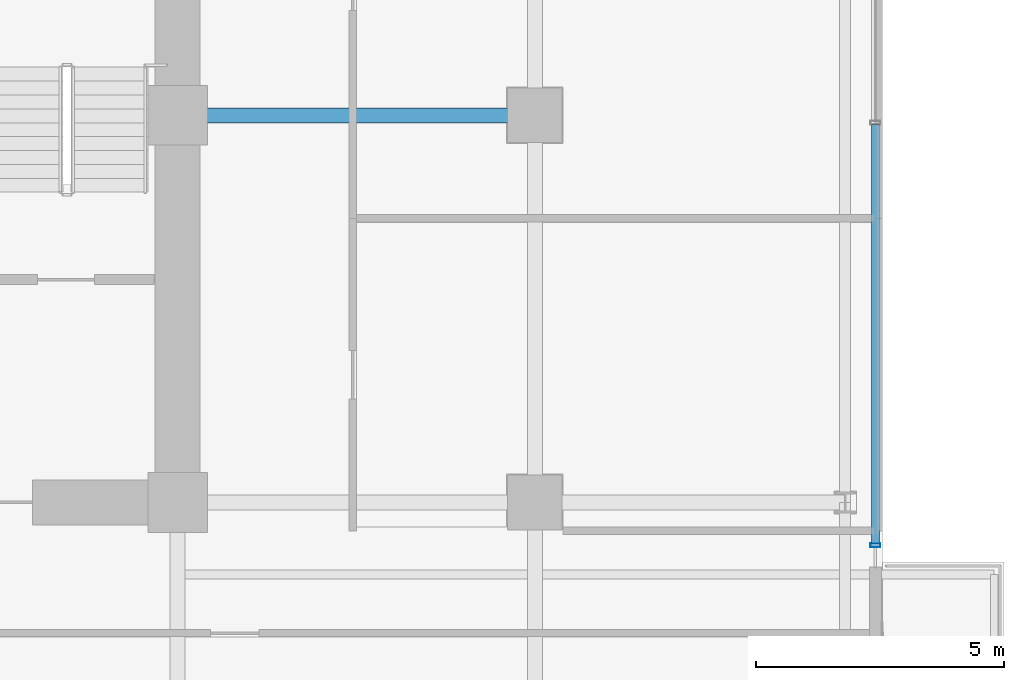
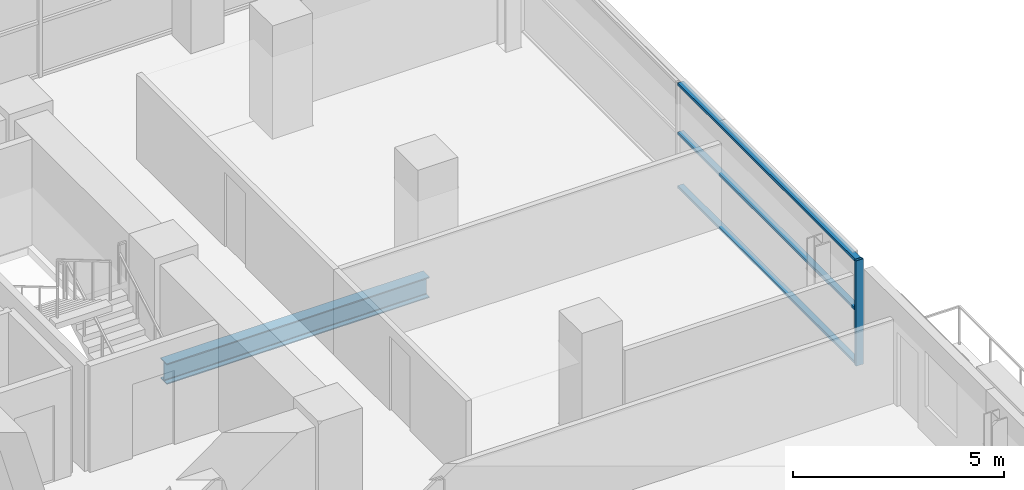
# One storey, part 14 of 30: 4 members, 1 beam, 1 element without a shape of its own.
"""IFC4 building model written with IfcOpenShell, lengths in metres."""

from ifc_helpers import new_model, si_unit, direction, frame, origin, origin_2d, place, context, subcontext, project, spatial, hollow_rectangle, i_section, extrude, source, transform, mapped, material, layer, layer_set, material_profile, profile_set, type_object, element, aggregate, save


model = new_model("IFC4")

# Units and contexts
model_context = context("Model", 3, precision=1e-05, world=origin(), true_north=direction((0.0, 1.0)))
body_context = subcontext(model_context, "Body", "Model", "MODEL_VIEW")
ifc_project = project(units=[si_unit("LENGTHUNIT", "METRE"), si_unit("AREAUNIT", "SQUARE_METRE"), si_unit("VOLUMEUNIT", "CUBIC_METRE"), si_unit("PLANEANGLEUNIT", "RADIAN"), si_unit("MASSUNIT", "GRAM", prefix="KILO")], contexts=[model_context])

# Site, building, storey
site_placement = place(None, origin())
site = spatial("IfcSite", under=ifc_project, at=site_placement, CompositionType="ELEMENT")
building_placement = place(site_placement, origin())
building = spatial("IfcBuilding", under=site, at=building_placement, Name="Zarnakvel Exchange Tower", CompositionType="ELEMENT")
storey_placement = place(building_placement, frame((0.0, 0.0, 30.699951171875)))
storey = spatial("IfcBuildingStorey", under=building, at=storey_placement, Name="L07", CompositionType="ELEMENT", Elevation=30.699951171875)

# Beam
ifc_material_1 = material(Name="Steel S355", Category="steel")
ifc_material_profile_1 = material_profile(ifc_material_1, i_section(OverallWidth=0.300048828125, OverallDepth=0.60009765625, WebThickness=0.015380859375, FlangeThickness=0.030029296875, FilletRadius=0.027099609375, at=origin_2d()))
ifc_profile_set_1 = profile_set([ifc_material_profile_1], Name="Steel S355")
beam_type = type_object("IfcBeamType", Name="G-04", PredefinedType="BEAM", material=ifc_profile_set_1)
beam_placement = place(storey_placement, frame((14.39990234375, 6.60009765625, -0.52490234375), z_axis=(1.0, 0.0, 0.0), x_axis=(0.0, 1.0, 0.0)))
element("IfcBeam", 1, at=beam_placement, inside=storey, type_object=beam_type, Name="L07 Tower E-W Frame Beam", PredefinedType="BEAM", context=body_context, shape_type="SweptSolid", body=[
    extrude(i_section(OverallWidth=0.300048828125, OverallDepth=0.60009765625, WebThickness=0.015380859375, FlangeThickness=0.030029296875, FilletRadius=0.027099609375, at=origin_2d()), origin(), (0.0, 0.0, 1.0), 7.2001953125),
])

# Curtain wall, members
ifc_material_2 = material(Name="Architectural Bronze Anodised Aluminium", Category="aluminium")
ifc_layer = layer(ifc_material_2, 0.199951171875)
ifc_layer_set = layer_set([ifc_layer], Name="Architectural Bronze Anodised Aluminium")
curtain_wall_type = type_object("IfcCurtainWallType", Name="CW-04", PredefinedType="NOTDEFINED", material=ifc_layer_set)
curtain_wall_placement = place(storey_placement, origin())
curtain_wall = element("IfcCurtainWall", 2, at=curtain_wall_placement, inside=storey, type_object=curtain_wall_type, Name="L07 Curtain Wall CW-L07-EN (CW-04)", PredefinedType="NOTDEFINED")
ifc_material_profile_2 = material_profile(ifc_material_2, hollow_rectangle(XDim=0.159912109375, YDim=0.074951171875, WallThickness=0.00390625, at=origin_2d()))
ifc_profile_set_2 = profile_set([ifc_material_profile_2], Name="Architectural Bronze Anodised Aluminium")
member_type_1 = type_object("IfcMemberType", Name="CWT-04", PredefinedType="USERDEFINED", material=ifc_profile_set_2)
shared_shape_1 = source(origin(), body_context, "Body", "SweptSolid", [
    extrude(hollow_rectangle(XDim=0.159912109375, YDim=0.074951171875, WallThickness=0.00390625, at=origin_2d()), origin(), (0.0, 0.0, 1.0), 8.4375),
])
member_1_placement = place(storey_placement, frame((28.4599609375, -2.02490234375, 0.03759765625), z_axis=(0.0, 1.0, 0.0), x_axis=(-1.0, 0.0, 0.0)))
member_1 = element("IfcMember", 3, at=member_1_placement, type_object=member_type_1, Name="CW-04 transom 1.1", ObjectType="TRANSOM", PredefinedType="USERDEFINED", context=body_context, shape_type="MappedRepresentation", body=[
    mapped(shared_shape_1, transform((0.0, 0.0, 0.0), x_axis=(1.0, 0.0, 0.0), y_axis=(0.0, 1.0, 0.0), z_axis=(0.0, 0.0, 1.0), scale=1.0)),
])
member_2_placement = place(storey_placement, frame((28.4599609375, -2.02490234375, 1.588623046875), z_axis=(0.0, 1.0, 0.0), x_axis=(-1.0, 0.0, 0.0)))
member_2 = element("IfcMember", 4, at=member_2_placement, type_object=member_type_1, Name="CW-04 transom 1.2", ObjectType="TRANSOM", PredefinedType="USERDEFINED", context=body_context, shape_type="MappedRepresentation", body=[
    mapped(shared_shape_1, transform((0.0, 0.0, 0.0), x_axis=(1.0, 0.0, 0.0), y_axis=(0.0, 1.0, 0.0), z_axis=(0.0, 0.0, 1.0), scale=1.0)),
])
member_3_placement = place(storey_placement, frame((28.4599609375, -2.02490234375, 3.017578125), z_axis=(0.0, 1.0, 0.0), x_axis=(-1.0, 0.0, 0.0)))
member_3 = element("IfcMember", 5, at=member_3_placement, type_object=member_type_1, Name="CW-04 transom 1.3", ObjectType="TRANSOM", PredefinedType="USERDEFINED", context=body_context, shape_type="MappedRepresentation", body=[
    mapped(shared_shape_1, transform((0.0, 0.0, 0.0), x_axis=(1.0, 0.0, 0.0), y_axis=(0.0, 1.0, 0.0), z_axis=(0.0, 0.0, 1.0), scale=1.0)),
])
ifc_material_profile_3 = material_profile(ifc_material_2, hollow_rectangle(XDim=0.199951171875, YDim=0.074951171875, WallThickness=0.0048828125, at=origin_2d()))
ifc_profile_set_3 = profile_set([ifc_material_profile_3], Name="Architectural Bronze Anodised Aluminium")
member_type_2 = type_object("IfcMemberType", Name="CWM-04", PredefinedType="MULLION", material=ifc_profile_set_3)
shared_shape_2 = source(origin(), body_context, "Body", "SweptSolid", [
    extrude(hollow_rectangle(XDim=0.199951171875, YDim=0.074951171875, WallThickness=0.0048828125, at=origin_2d()), origin(), (0.0, 0.0, 1.0), 3.054931640625),
])
member_4_placement = place(storey_placement, frame((28.4599609375, -2.0625, 0.0), z_axis=(0.0, 0.0, 1.0), x_axis=(-1.0, 0.0, 0.0)))
member_4 = element("IfcMember", 6, at=member_4_placement, type_object=member_type_2, Name="CW-04 mullion 1", PredefinedType="MULLION", context=body_context, shape_type="MappedRepresentation", body=[
    mapped(shared_shape_2, transform((0.0, 0.0, 0.0), x_axis=(1.0, 0.0, 0.0), y_axis=(0.0, 1.0, 0.0), z_axis=(0.0, 0.0, 1.0), scale=1.0)),
])
aggregate(curtain_wall, [member_4, member_1, member_2, member_3])

save(model, "model.ifc")
